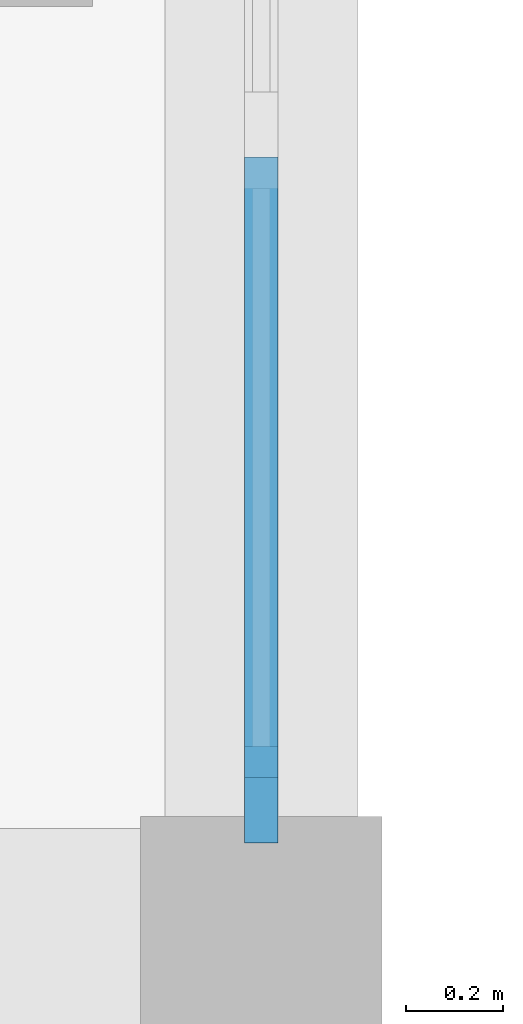
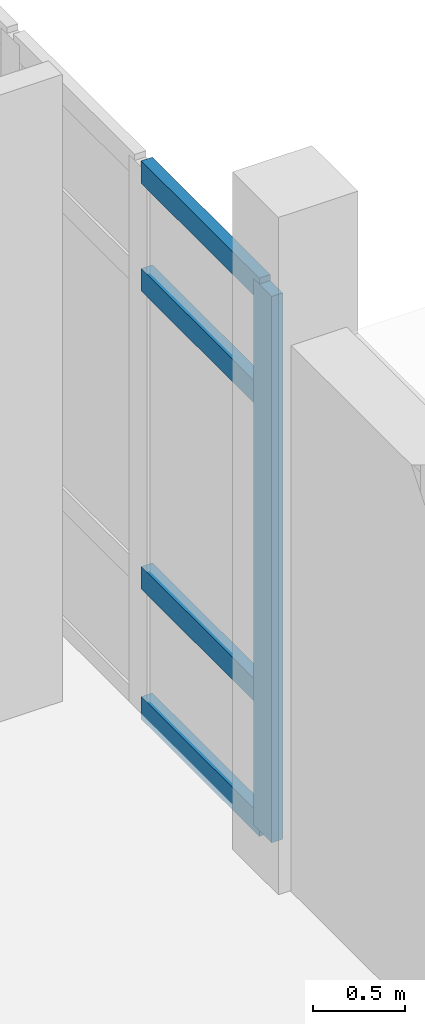
# One storey, part 64 of 128: 5 members, 1 element without a shape of its own.
"""IFC4 building model written with IfcOpenShell, lengths in metres."""

from ifc_helpers import new_model, si_unit, direction, frame, origin, origin_2d, place, context, subcontext, project, spatial, rectangle, extrude, material, layer, layer_set, material_profile, profile_set, type_object, element, aggregate, save


model = new_model("IFC4")

# Units and contexts
model_context = context("Model", 3, precision=1e-05, world=origin(), true_north=direction((0.0, 1.0)))
body_context = subcontext(model_context, "Body", "Model", "MODEL_VIEW")
ifc_project = project(units=[si_unit("LENGTHUNIT", "METRE"), si_unit("AREAUNIT", "SQUARE_METRE"), si_unit("VOLUMEUNIT", "CUBIC_METRE"), si_unit("PLANEANGLEUNIT", "RADIAN"), si_unit("MASSUNIT", "GRAM", prefix="KILO")], contexts=[model_context])

# Site, building, storey
site_placement = place(None, origin())
site = spatial("IfcSite", under=ifc_project, at=site_placement, CompositionType="ELEMENT")
building_placement = place(site_placement, origin())
building = spatial("IfcBuilding", under=site, at=building_placement, Name="Dalvernix Boulevard General Hospital", CompositionType="ELEMENT")
storey_placement = place(building_placement, frame((0.0, 0.0, 4.800048828125)))
storey = spatial("IfcBuildingStorey", under=building, at=storey_placement, Name="L01", CompositionType="ELEMENT", Elevation=4.800048828125)

# Curtain wall, members
ifc_material_1 = material(Name="Thermally broken aluminium and solar-control glass curtain wall", Category="aluminium")
ifc_layer = layer(ifc_material_1, 0.199951171875)
ifc_layer_set = layer_set([ifc_layer], Name="Thermally broken aluminium and solar-control glass curtain wall (CW-CW-C-70x36)")
curtain_wall_type = type_object("IfcCurtainWallType", Name="CW-CW-C-70x36", PredefinedType="USERDEFINED", material=ifc_layer_set)
curtain_wall_placement = place(storey_placement, origin())
curtain_wall = element("IfcCurtainWall", 1, at=curtain_wall_placement, inside=storey, type_object=curtain_wall_type, Name="L01 curtain wall CW-C-70x36 23-8", ObjectType="GLAZED FACADE", PredefinedType="USERDEFINED")
ifc_material_2 = material(Name="Aluminium EN AW-6060", Category="aluminium")
ifc_material_profile_1 = material_profile(ifc_material_2, rectangle(XDim=0.070068359375, YDim=0.199951171875, at=origin_2d()), Name="ALU MULL 70x200")
ifc_profile_set_1 = profile_set([ifc_material_profile_1], Name="Aluminium EN AW-6060")
member_type_1 = type_object("IfcMemberType", Name="MEM-CW-M3", PredefinedType="MULLION", material=ifc_profile_set_1)
member_1_placement = place(storey_placement, frame((172.5, 61.794921875, 0.0), z_axis=(0.0, 0.0, 1.0), x_axis=(1.0, 0.0, 0.0)))
member_1 = element("IfcMember", 2, at=member_1_placement, type_object=member_type_1, Name="CW-C-70x36 mullion 6", PredefinedType="MULLION", context=body_context, shape_type="SweptSolid", body=[
    extrude(rectangle(XDim=0.070068359375, YDim=0.199951171875, at=origin_2d()), origin(), (0.0, 0.0, 1.0), 3.6298828125),
])
ifc_material_profile_2 = material_profile(ifc_material_2, rectangle(XDim=0.070068359375, YDim=0.14990234375, at=origin_2d()), Name="ALU TRAN 70x150")
ifc_profile_set_2 = profile_set([ifc_material_profile_2], Name="Aluminium EN AW-6060")
member_type_2 = type_object("IfcMemberType", Name="MEM-CW-T3", PredefinedType="USERDEFINED", material=ifc_profile_set_2)
member_2_placement = place(storey_placement, frame((172.5, 63.115966796875, 0.034912109375), z_axis=(0.0, -1.0, 0.0), x_axis=(1.0, 0.0, 0.0)))
member_2 = element("IfcMember", 3, at=member_2_placement, type_object=member_type_2, Name="CW-C-70x36 transom 5.1", ObjectType="TRANSOM", PredefinedType="USERDEFINED", context=body_context, shape_type="SweptSolid", body=[
    extrude(rectangle(XDim=0.070068359375, YDim=0.14990234375, at=origin_2d()), origin(), (0.0, 0.0, 1.0), 1.285888671875),
])
member_3_placement = place(storey_placement, frame((172.5, 63.115966796875, 0.89990234375), z_axis=(0.0, -1.0, 0.0), x_axis=(1.0, 0.0, 0.0)))
member_3 = element("IfcMember", 4, at=member_3_placement, type_object=member_type_2, Name="CW-C-70x36 transom 5.2", ObjectType="TRANSOM", PredefinedType="USERDEFINED", context=body_context, shape_type="SweptSolid", body=[
    extrude(rectangle(XDim=0.070068359375, YDim=0.14990234375, at=origin_2d()), origin(), (0.0, 0.0, 1.0), 1.285888671875),
])
member_4_placement = place(storey_placement, frame((172.5, 63.115966796875, 2.8798828125), z_axis=(0.0, -1.0, 0.0), x_axis=(1.0, 0.0, 0.0)))
member_4 = element("IfcMember", 5, at=member_4_placement, type_object=member_type_2, Name="CW-C-70x36 transom 5.3", ObjectType="TRANSOM", PredefinedType="USERDEFINED", context=body_context, shape_type="SweptSolid", body=[
    extrude(rectangle(XDim=0.070068359375, YDim=0.14990234375, at=origin_2d()), origin(), (0.0, 0.0, 1.0), 1.285888671875),
])
member_5_placement = place(storey_placement, frame((172.5, 63.115966796875, 3.594970703125), z_axis=(0.0, -1.0, 0.0), x_axis=(1.0, 0.0, 0.0)))
member_5 = element("IfcMember", 6, at=member_5_placement, type_object=member_type_2, Name="CW-C-70x36 transom 5.4", ObjectType="TRANSOM", PredefinedType="USERDEFINED", context=body_context, shape_type="SweptSolid", body=[
    extrude(rectangle(XDim=0.070068359375, YDim=0.14990234375, at=origin_2d()), origin(), (0.0, 0.0, 1.0), 1.285888671875),
])
aggregate(curtain_wall, [member_1, member_2, member_3, member_4, member_5])

save(model, "model.ifc")
